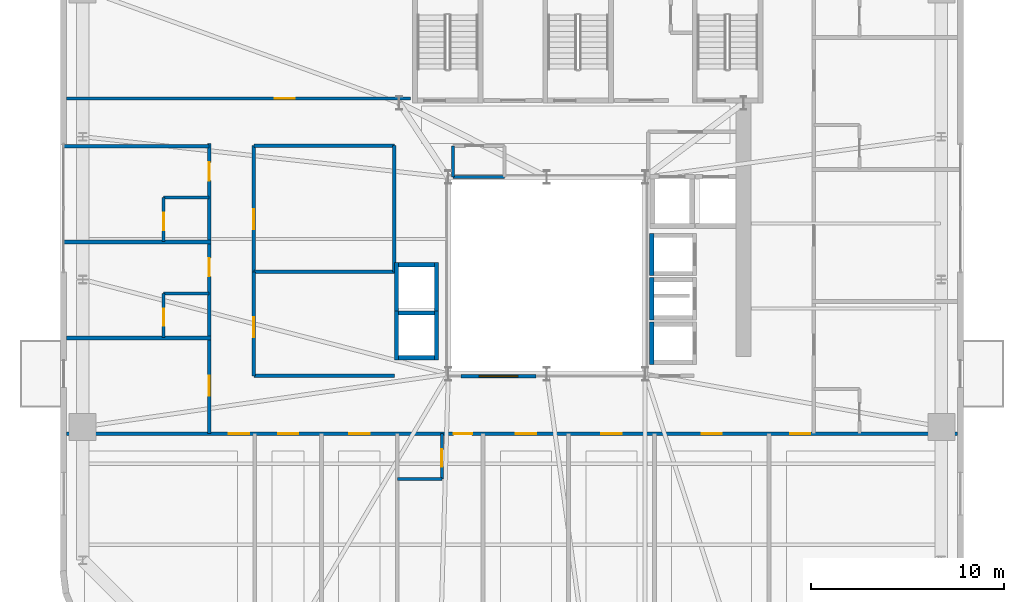
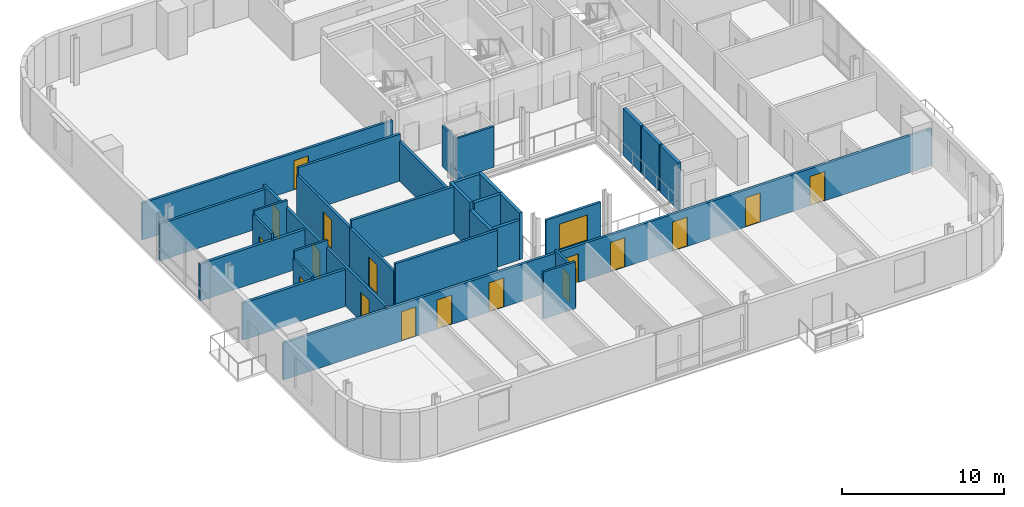
# One storey, part 7 of 12: 31 walls, 17 doors, 1 window, 18 openings.
"""IFC4 building model written with IfcOpenShell, lengths in metres."""

from ifc_helpers import new_model, si_unit, direction, frame, frame_2d, origin, place, context, subcontext, project, spatial, rectangle, extrude, source, transform, mapped, material, layer, layer_set, type_object, element, fill, save


model = new_model("IFC4")

# Units and contexts
model_context = context("Model", 3, precision=1e-05, world=origin(), true_north=direction((0.0, 1.0)))
body_context = subcontext(model_context, "Body", "Model", "MODEL_VIEW")
ifc_project = project(units=[si_unit("LENGTHUNIT", "METRE"), si_unit("AREAUNIT", "SQUARE_METRE"), si_unit("VOLUMEUNIT", "CUBIC_METRE"), si_unit("PLANEANGLEUNIT", "RADIAN"), si_unit("MASSUNIT", "GRAM", prefix="KILO")], contexts=[model_context])

# Site, building, storey
site_placement = place(None, origin())
site = spatial("IfcSite", under=ifc_project, at=site_placement, CompositionType="ELEMENT")
building_placement = place(site_placement, origin())
building = spatial("IfcBuilding", under=site, at=building_placement, Name="Vardaveli Station Tower", CompositionType="ELEMENT")
storey_placement = place(building_placement, frame((0.0, 0.0, 214.800048828125)))
storey = spatial("IfcBuildingStorey", under=building, at=storey_placement, Name="L55", CompositionType="ELEMENT", Elevation=214.800048828125)

# Walls
ifc_material_1 = material(Name="Concrete C40/50", Category="concrete")
ifc_layer_1 = layer(ifc_material_1, 0.219970703125, Name="Concrete C40/50")
ifc_layer_set_1 = layer_set([ifc_layer_1], Name="Concrete C40/50")
wall_type_1 = type_object("IfcWallType", Name="WAL-FFLOBBY-220", PredefinedType="SOLIDWALL", material=ifc_layer_set_1)
shared_shape_1 = source(origin(), body_context, "Body", "SweptSolid", [
    extrude(rectangle(XDim=2.18994140625, YDim=0.219970703125, at=frame_2d((1.094970703125, 0.0))), origin(), (0.0, 0.0, 1.0), 3.530029296875),
])
for number, where, z_axis, x_axis, name in (
    (1, (41.739990234375, 21.705078125, 0.0), (0.0, 0.0, 1.0), (0.0, 1.0, 0.0), "SHW-HL3-01-L55-W"),
    (2, (41.739990234375, 19.405029296875, 0.0), (0.0, 0.0, 1.0), (0.0, 1.0, 0.0), "SHW-HL3-02-L55-W"),
    (3, (41.739990234375, 17.10498046875, 0.0), (0.0, 0.0, 1.0), (0.0, 1.0, 0.0), "SHW-HL3-03-L55-W"),
):
    element("IfcWall", number, at=place(storey_placement, frame(where, z_axis=z_axis, x_axis=x_axis)), inside=storey, type_object=wall_type_1, Name=name, PredefinedType="SOLIDWALL", context=body_context, shape_type="MappedRepresentation", body=[
        mapped(shared_shape_1, transform((0.0, 0.0, 0.0), scale=1.0)),
    ])
shared_shape_2 = source(origin(), body_context, "Body", "SweptSolid", [
    extrude(rectangle(XDim=1.85009765625, YDim=0.219970703125, at=frame_2d((0.925048828125, 0.0))), origin(), (0.0, 0.0, 1.0), 2.971923828125),
])
wall_1_placement = place(storey_placement, frame((28.625, 17.43994140625, 0.0), z_axis=(0.0, 0.0, 1.0), x_axis=(1.0, 0.0, 0.0)))
element("IfcWall", 4, at=wall_1_placement, inside=storey, type_object=wall_type_1, Name="SHW-OBS-01-L55-S", PredefinedType="SOLIDWALL", context=body_context, shape_type="MappedRepresentation", body=[
    mapped(shared_shape_2, transform((0.0, 0.0, 0.0), scale=1.0)),
])
shared_shape_3 = source(origin(), body_context, "Body", "SweptSolid", [
    extrude(rectangle(XDim=1.85009765625, YDim=0.219970703125, at=frame_2d((0.925048828125, 0.0))), origin(), (0.0, 0.0, 1.0), 3.530029296875),
])
for number, where, z_axis, x_axis, name in (
    (5, (28.625, 19.760009765625, 0.0), (0.0, 0.0, 1.0), (1.0, 0.0, 0.0), "SHW-OBS-01-L55-N"),
    (6, (28.625, 22.260009765625, 0.0), (0.0, 0.0, 1.0), (1.0, 0.0, 0.0), "SHW-OBS-02-L55-N"),
):
    element("IfcWall", number, at=place(storey_placement, frame(where, z_axis=z_axis, x_axis=x_axis)), inside=storey, type_object=wall_type_1, Name=name, PredefinedType="SOLIDWALL", context=body_context, shape_type="MappedRepresentation", body=[
        mapped(shared_shape_3, transform((0.0, 0.0, 0.0), scale=1.0)),
    ])
shared_shape_4 = source(origin(), body_context, "Body", "SweptSolid", [
    extrude(rectangle(XDim=2.5400390625, YDim=0.219970703125, at=frame_2d((1.27001953125, 0.0))), origin(), (0.0, 0.0, 1.0), 2.971923828125),
])
wall_2_placement = place(storey_placement, frame((28.514892578125, 17.330078125, 0.0), z_axis=(0.0, 0.0, 1.0), x_axis=(0.0, 1.0, 0.0)))
element("IfcWall", 7, at=wall_2_placement, inside=storey, type_object=wall_type_1, Name="SHW-OBS-01-L55-W", PredefinedType="SOLIDWALL", context=body_context, shape_type="MappedRepresentation", body=[
    mapped(shared_shape_4, transform((0.0, 0.0, 0.0), scale=1.0)),
])
shared_shape_5 = source(origin(), body_context, "Body", "SweptSolid", [
    extrude(rectangle(XDim=2.5400390625, YDim=0.219970703125, at=frame_2d((1.27001953125, 0.0))), origin(), (0.0, 0.0, 1.0), 3.530029296875),
])
for number, where, z_axis, x_axis, name in (
    (8, (30.5849609375, 17.330078125, 0.0), (0.0, 0.0, 1.0), (0.0, 1.0, 0.0), "SHW-OBS-01-L55-E"),
    (9, (28.514892578125, 19.830078125, 0.0), (0.0, 0.0, 1.0), (0.0, 1.0, 0.0), "SHW-OBS-02-L55-W"),
    (10, (30.5849609375, 19.830078125, 0.0), (0.0, 0.0, 1.0), (0.0, 1.0, 0.0), "SHW-OBS-02-L55-E"),
):
    element("IfcWall", number, at=place(storey_placement, frame(where, z_axis=z_axis, x_axis=x_axis)), inside=storey, type_object=wall_type_1, Name=name, PredefinedType="SOLIDWALL", context=body_context, shape_type="MappedRepresentation", body=[
        mapped(shared_shape_5, transform((0.0, 0.0, 0.0), scale=1.0)),
    ])

# Wall, openings, doors
ifc_material_2 = material(Name="Fire-rated gypsum stud partition")
ifc_layer_2 = layer(ifc_material_2, 0.179931640625, Name="Fire-rated gypsum stud partition")
ifc_layer_set_2 = layer_set([ifc_layer_2], Name="Fire-rated gypsum stud partition")
wall_type_2 = type_object("IfcWallType", Name="WAL-CORR-180", PredefinedType="PARTITIONING", material=ifc_layer_set_2)
shared_shape_6 = source(origin(), body_context, "Body", "SweptSolid", [
    extrude(rectangle(XDim=46.15576171875, YDim=0.179931640625, at=frame_2d((23.077880859375, 0.0))), origin(), (0.0, 0.0, 1.0), 2.77197265625),
])
wall_3_placement = place(storey_placement, frame((11.422119140625, 13.510009765625, 0.0), z_axis=(0.0, 0.0, 1.0), x_axis=(1.0, 0.0, 0.0)))
wall_3 = element("IfcWall", 11, at=wall_3_placement, inside=storey, type_object=wall_type_2, Name="W-L55-CS", PredefinedType="PARTITIONING", context=body_context, shape_type="MappedRepresentation", body=[
    mapped(shared_shape_6, transform((0.0, 0.0, 0.0), scale=1.0)),
])
shared_shape_7 = source(origin(), body_context, "Body", "SweptSolid", [
    extrude(rectangle(XDim=1.050048828125, YDim=2.199951171875, at=frame_2d((0.52490234375, 1.10009765625))), frame((0.0, 0.10009765625, 0.0), z_axis=(0.0, -1.0, 0.0), x_axis=(1.0, 0.0, 0.0)), (0.0, 0.0, 1.0), 0.199951171875),
])
opening_1_placement = place(wall_3_placement, frame((8.39794921875, 0.0, 0.0)))
opening_1 = element("IfcOpeningElement", 12, at=opening_1_placement, cuts=wall_3, Name="Opening D-05", PredefinedType="OPENING", context=body_context, shape_type="MappedRepresentation", body=[
    mapped(shared_shape_7, transform((0.0, 0.0, 0.0), scale=1.0)),
])
opening_2_placement = place(wall_3_placement, frame((10.952880859375, 0.0, 0.0)))
opening_2 = element("IfcOpeningElement", 13, at=opening_2_placement, cuts=wall_3, Name="Opening D-05", PredefinedType="OPENING", context=body_context, shape_type="MappedRepresentation", body=[
    mapped(shared_shape_7, transform((0.0, 0.0, 0.0), scale=1.0)),
])
opening_3_placement = place(wall_3_placement, frame((14.64453125, 0.0, 0.0)))
opening_3 = element("IfcOpeningElement", 14, at=opening_3_placement, cuts=wall_3, Name="Opening D-05", PredefinedType="OPENING", context=body_context, shape_type="MappedRepresentation", body=[
    mapped(shared_shape_7, transform((0.0, 0.0, 0.0), scale=1.0)),
])
shared_shape_8 = source(origin(), body_context, "Body", "SweptSolid", [
    extrude(rectangle(XDim=0.949951171875, YDim=2.14990234375, at=frame_2d((0.47509765625, 1.074951171875))), frame((0.0, 0.10009765625, 0.0), z_axis=(0.0, -1.0, 0.0), x_axis=(1.0, 0.0, 0.0)), (0.0, 0.0, 1.0), 0.199951171875),
])
opening_4_placement = place(wall_3_placement, frame((20.05712890625, 0.0, 0.0)))
opening_4 = element("IfcOpeningElement", 15, at=opening_4_placement, cuts=wall_3, Name="Opening D-06", PredefinedType="OPENING", context=body_context, shape_type="MappedRepresentation", body=[
    mapped(shared_shape_8, transform((0.0, 0.0, 0.0), scale=1.0)),
])
opening_5_placement = place(wall_3_placement, frame((23.273681640625, 0.0, 0.0)))
opening_5 = element("IfcOpeningElement", 16, at=opening_5_placement, cuts=wall_3, Name="Opening D-05", PredefinedType="OPENING", context=body_context, shape_type="MappedRepresentation", body=[
    mapped(shared_shape_7, transform((0.0, 0.0, 0.0), scale=1.0)),
])
opening_6_placement = place(wall_3_placement, frame((27.715576171875, 0.0, 0.0)))
opening_6 = element("IfcOpeningElement", 17, at=opening_6_placement, cuts=wall_3, Name="Opening D-05", PredefinedType="OPENING", context=body_context, shape_type="MappedRepresentation", body=[
    mapped(shared_shape_7, transform((0.0, 0.0, 0.0), scale=1.0)),
])
opening_7_placement = place(wall_3_placement, frame((32.906982421875, 0.0, 0.0)))
opening_7 = element("IfcOpeningElement", 18, at=opening_7_placement, cuts=wall_3, Name="Opening D-05", PredefinedType="OPENING", context=body_context, shape_type="MappedRepresentation", body=[
    mapped(shared_shape_7, transform((0.0, 0.0, 0.0), scale=1.0)),
])
opening_8_placement = place(wall_3_placement, frame((37.498046875, 0.0, 0.0)))
opening_8 = element("IfcOpeningElement", 19, at=opening_8_placement, cuts=wall_3, Name="Opening D-05", PredefinedType="OPENING", context=body_context, shape_type="MappedRepresentation", body=[
    mapped(shared_shape_7, transform((0.0, 0.0, 0.0), scale=1.0)),
])
ifc_material_3 = material(Name="Walnut veneer acoustic fire door")
door_type_1 = type_object("IfcDoorType", Name="DR-SUITE-1050x2200", OperationType="NOTDEFINED", PredefinedType="DOOR", material=ifc_material_3)
shared_shape_9 = source(origin(), body_context, "Body", "SweptSolid", [
    extrude(rectangle(XDim=1.050048828125, YDim=2.199951171875, at=frame_2d((0.52490234375, 1.10009765625))), frame((0.0, 0.02490234375, 0.0), z_axis=(0.0, -1.0, 0.0), x_axis=(1.0, 0.0, 0.0)), (0.0, 0.0, 1.0), 0.050048828125),
])
door_1_placement = place(opening_1_placement, origin())
door_1 = element("IfcDoor", 20, at=door_1_placement, inside=storey, type_object=door_type_1, Name="D-L55-SA1", OperationType="SINGLE_SWING_LEFT", OverallHeight=2.199951171875, OverallWidth=1.050048828125, PredefinedType="DOOR", context=body_context, shape_type="MappedRepresentation", body=[
    mapped(shared_shape_9, transform((0.0, 0.0, 0.0), scale=1.0)),
])
fill(opening_1, door_1)
door_2_placement = place(opening_2_placement, origin())
door_2 = element("IfcDoor", 21, at=door_2_placement, inside=storey, type_object=door_type_1, Name="D-L55-SA2", OperationType="SINGLE_SWING_RIGHT", OverallHeight=2.199951171875, OverallWidth=1.050048828125, PredefinedType="DOOR", context=body_context, shape_type="MappedRepresentation", body=[
    mapped(shared_shape_9, transform((0.0, 0.0, 0.0), scale=1.0)),
])
fill(opening_2, door_2)
door_3_placement = place(opening_3_placement, origin())
door_3 = element("IfcDoor", 22, at=door_3_placement, inside=storey, type_object=door_type_1, Name="D-L55-SA3", OperationType="SINGLE_SWING_LEFT", OverallHeight=2.199951171875, OverallWidth=1.050048828125, PredefinedType="DOOR", context=body_context, shape_type="MappedRepresentation", body=[
    mapped(shared_shape_9, transform((0.0, 0.0, 0.0), scale=1.0)),
])
fill(opening_3, door_3)
door_4_placement = place(opening_5_placement, origin())
door_4 = element("IfcDoor", 23, at=door_4_placement, inside=storey, type_object=door_type_1, Name="D-L55-SA5", OperationType="SINGLE_SWING_LEFT", OverallHeight=2.199951171875, OverallWidth=1.050048828125, PredefinedType="DOOR", context=body_context, shape_type="MappedRepresentation", body=[
    mapped(shared_shape_9, transform((0.0, 0.0, 0.0), scale=1.0)),
])
fill(opening_5, door_4)
door_5_placement = place(opening_6_placement, origin())
door_5 = element("IfcDoor", 24, at=door_5_placement, inside=storey, type_object=door_type_1, Name="D-L55-SA6", OperationType="SINGLE_SWING_RIGHT", OverallHeight=2.199951171875, OverallWidth=1.050048828125, PredefinedType="DOOR", context=body_context, shape_type="MappedRepresentation", body=[
    mapped(shared_shape_9, transform((0.0, 0.0, 0.0), scale=1.0)),
])
fill(opening_6, door_5)
door_6_placement = place(opening_7_placement, origin())
door_6 = element("IfcDoor", 25, at=door_6_placement, inside=storey, type_object=door_type_1, Name="D-L55-SA7", OperationType="SINGLE_SWING_LEFT", OverallHeight=2.199951171875, OverallWidth=1.050048828125, PredefinedType="DOOR", context=body_context, shape_type="MappedRepresentation", body=[
    mapped(shared_shape_9, transform((0.0, 0.0, 0.0), scale=1.0)),
])
fill(opening_7, door_6)
door_7_placement = place(opening_8_placement, origin())
door_7 = element("IfcDoor", 26, at=door_7_placement, inside=storey, type_object=door_type_1, Name="D-L55-SA8", OperationType="SINGLE_SWING_RIGHT", OverallHeight=2.199951171875, OverallWidth=1.050048828125, PredefinedType="DOOR", context=body_context, shape_type="MappedRepresentation", body=[
    mapped(shared_shape_9, transform((0.0, 0.0, 0.0), scale=1.0)),
])
fill(opening_8, door_7)
ifc_material_4 = material(Name="Oak veneer acoustic fire door")
door_type_2 = type_object("IfcDoorType", Name="DR-GUEST-950x2150", OperationType="NOTDEFINED", PredefinedType="DOOR", material=ifc_material_4)
shared_shape_10 = source(origin(), body_context, "Body", "SweptSolid", [
    extrude(rectangle(XDim=0.949951171875, YDim=2.14990234375, at=frame_2d((0.47509765625, 1.074951171875))), frame((0.0, 0.02490234375, 0.0), z_axis=(0.0, -1.0, 0.0), x_axis=(1.0, 0.0, 0.0)), (0.0, 0.0, 1.0), 0.050048828125),
])
door_8_placement = place(opening_4_placement, origin())
door_8 = element("IfcDoor", 27, at=door_8_placement, inside=storey, type_object=door_type_2, Name="D-L55-GS4", OperationType="SINGLE_SWING_RIGHT", OverallHeight=2.14990234375, OverallWidth=0.949951171875, PredefinedType="DOOR", context=body_context, shape_type="MappedRepresentation", body=[
    mapped(shared_shape_10, transform((0.0, 0.0, 0.0), scale=1.0)),
])
fill(opening_4, door_8)

# Wall, opening, door
shared_shape_11 = source(origin(), body_context, "Body", "SweptSolid", [
    extrude(rectangle(XDim=17.827880859375, YDim=0.179931640625, at=frame_2d((8.9140625, 0.0))), origin(), (0.0, 0.0, 1.0), 2.77197265625),
])
wall_4_placement = place(storey_placement, frame((11.422119140625, 30.8798828125, 0.0), z_axis=(0.0, 0.0, 1.0), x_axis=(1.0, 0.0, 0.0)))
wall_4 = element("IfcWall", 28, at=wall_4_placement, inside=storey, type_object=wall_type_2, Name="W-L55-CNWS", PredefinedType="PARTITIONING", context=body_context, shape_type="MappedRepresentation", body=[
    mapped(shared_shape_11, transform((0.0, 0.0, 0.0), scale=1.0)),
])
opening_9_placement = place(wall_4_placement, frame((10.778076171875, 0.0, 0.0)))
opening_9 = element("IfcOpeningElement", 29, at=opening_9_placement, cuts=wall_4, Name="Opening D-05", PredefinedType="OPENING", context=body_context, shape_type="MappedRepresentation", body=[
    mapped(shared_shape_7, transform((0.0, 0.0, 0.0), scale=1.0)),
])
door_9_placement = place(opening_9_placement, origin())
door_9 = element("IfcDoor", 30, at=door_9_placement, inside=storey, type_object=door_type_1, Name="D-L55-GNW1", OperationType="SINGLE_SWING_RIGHT", OverallHeight=2.199951171875, OverallWidth=1.050048828125, PredefinedType="DOOR", context=body_context, shape_type="MappedRepresentation", body=[
    mapped(shared_shape_9, transform((0.0, 0.0, 0.0), scale=1.0)),
])
fill(opening_9, door_9)

# Wall, openings, doors
shared_shape_12 = source(origin(), body_context, "Body", "SweptSolid", [
    extrude(rectangle(XDim=15.0400390625, YDim=0.179931640625, at=frame_2d((7.52001953125, 0.0))), origin(), (0.0, 0.0, 1.0), 2.971923828125),
])
wall_5_placement = place(storey_placement, frame((18.800048828125, 13.510009765625, 0.0), z_axis=(0.0, 0.0, 1.0), x_axis=(0.0, 1.0, 0.0)))
wall_5 = element("IfcWall", 31, at=wall_5_placement, inside=storey, type_object=wall_type_2, Name="W-L55-CW", PredefinedType="PARTITIONING", context=body_context, shape_type="MappedRepresentation", body=[
    mapped(shared_shape_12, transform((0.0, 0.0, 0.0), scale=1.0)),
])
opening_10_placement = place(wall_5_placement, frame((1.961669921875, 0.0, 0.0)))
opening_10 = element("IfcOpeningElement", 32, at=opening_10_placement, cuts=wall_5, Name="Opening D-05", PredefinedType="OPENING", context=body_context, shape_type="MappedRepresentation", body=[
    mapped(shared_shape_7, transform((0.0, 0.0, 0.0), scale=1.0)),
])
opening_11_placement = place(wall_5_placement, frame((8.14990234375, 0.0, 0.0)))
opening_11 = element("IfcOpeningElement", 33, at=opening_11_placement, cuts=wall_5, Name="Opening D-06", PredefinedType="OPENING", context=body_context, shape_type="MappedRepresentation", body=[
    mapped(shared_shape_8, transform((0.0, 0.0, 0.0), scale=1.0)),
])
opening_12_placement = place(wall_5_placement, frame((13.11328125, 0.0, 0.0)))
opening_12 = element("IfcOpeningElement", 34, at=opening_12_placement, cuts=wall_5, Name="Opening D-06", PredefinedType="OPENING", context=body_context, shape_type="MappedRepresentation", body=[
    mapped(shared_shape_8, transform((0.0, 0.0, 0.0), scale=1.0)),
])
door_10_placement = place(opening_10_placement, origin())
door_10 = element("IfcDoor", 35, at=door_10_placement, inside=storey, type_object=door_type_1, Name="D-L55-GW1", OperationType="SINGLE_SWING_LEFT", OverallHeight=2.199951171875, OverallWidth=1.050048828125, PredefinedType="DOOR", context=body_context, shape_type="MappedRepresentation", body=[
    mapped(shared_shape_9, transform((0.0, 0.0, 0.0), scale=1.0)),
])
fill(opening_10, door_10)
door_11_placement = place(opening_11_placement, origin())
door_11 = element("IfcDoor", 36, at=door_11_placement, inside=storey, type_object=door_type_2, Name="D-L55-GW2", OperationType="SINGLE_SWING_RIGHT", OverallHeight=2.14990234375, OverallWidth=0.949951171875, PredefinedType="DOOR", context=body_context, shape_type="MappedRepresentation", body=[
    mapped(shared_shape_10, transform((0.0, 0.0, 0.0), scale=1.0)),
])
fill(opening_11, door_11)
door_12_placement = place(opening_12_placement, origin())
door_12 = element("IfcDoor", 37, at=door_12_placement, inside=storey, type_object=door_type_2, Name="D-L55-GW3", OperationType="SINGLE_SWING_LEFT", OverallHeight=2.14990234375, OverallWidth=0.949951171875, PredefinedType="DOOR", context=body_context, shape_type="MappedRepresentation", body=[
    mapped(shared_shape_10, transform((0.0, 0.0, 0.0), scale=1.0)),
])
fill(opening_12, door_12)

# Wall, opening, door
ifc_material_5 = material(Name="Moisture-resistant stud partition")
ifc_layer_3 = layer(ifc_material_5, 0.14990234375, Name="Moisture-resistant stud partition")
ifc_layer_set_3 = layer_set([ifc_layer_3], Name="Moisture-resistant stud partition")
wall_type_3 = type_object("IfcWallType", Name="WAL-WET-150", PredefinedType="PARTITIONING", material=ifc_layer_set_3)
shared_shape_13 = source(origin(), body_context, "Body", "SweptSolid", [
    extrude(rectangle(XDim=2.2900390625, YDim=0.14990234375, at=frame_2d((1.14501953125, 0.0))), origin(), (0.0, 0.0, 1.0), 2.971923828125),
])
wall_6_placement = place(storey_placement, frame((16.43994140625, 18.492919921875, 0.0), z_axis=(0.0, 0.0, 1.0), x_axis=(0.0, 1.0, 0.0)))
wall_6 = element("IfcWall", 38, at=wall_6_placement, inside=storey, type_object=wall_type_3, Name="W-L55-BW2-W", PredefinedType="PARTITIONING", context=body_context, shape_type="MappedRepresentation", body=[
    mapped(shared_shape_13, transform((0.0, 0.0, 0.0), scale=1.0)),
])
shared_shape_14 = source(origin(), body_context, "Body", "SweptSolid", [
    extrude(rectangle(XDim=0.89990234375, YDim=2.10009765625, at=frame_2d((0.449951171875, 1.050048828125))), frame((0.0, 0.0849609375, 0.0), z_axis=(0.0, -1.0, 0.0), x_axis=(1.0, 0.0, 0.0)), (0.0, 0.0, 1.0), 0.169921875),
])
opening_13_placement = place(wall_6_placement, frame((0.60009765625, 0.0, 0.0)))
opening_13 = element("IfcOpeningElement", 39, at=opening_13_placement, cuts=wall_6, Name="Opening D-08", PredefinedType="OPENING", context=body_context, shape_type="MappedRepresentation", body=[
    mapped(shared_shape_14, transform((0.0, 0.0, 0.0), scale=1.0)),
])
ifc_material_6 = material(Name="Moisture-resistant oak door")
door_type_3 = type_object("IfcDoorType", Name="DR-BATH-900x2100", OperationType="NOTDEFINED", PredefinedType="DOOR", material=ifc_material_6)
shared_shape_15 = source(origin(), body_context, "Body", "SweptSolid", [
    extrude(rectangle(XDim=0.89990234375, YDim=2.10009765625, at=frame_2d((0.449951171875, 1.050048828125))), frame((0.0, 0.02490234375, 0.0), z_axis=(0.0, -1.0, 0.0), x_axis=(1.0, 0.0, 0.0)), (0.0, 0.0, 1.0), 0.050048828125),
])
door_13_placement = place(opening_13_placement, origin())
door_13 = element("IfcDoor", 40, at=door_13_placement, inside=storey, type_object=door_type_3, Name="D-L55-BW2", OperationType="SINGLE_SWING_LEFT", OverallHeight=2.10009765625, OverallWidth=0.89990234375, PredefinedType="DOOR", context=body_context, shape_type="MappedRepresentation", body=[
    mapped(shared_shape_15, transform((0.0, 0.0, 0.0), scale=1.0)),
])
fill(opening_13, door_13)

# Walls
shared_shape_16 = source(origin(), body_context, "Body", "SweptSolid", [
    extrude(rectangle(XDim=2.360107421875, YDim=0.14990234375, at=frame_2d((1.18017578125, 0.0))), origin(), (0.0, 0.0, 1.0), 3.530029296875),
])
for number, where, z_axis, x_axis, name in (
    (41, (16.43994140625, 20.782958984375, 0.0), (0.0, 0.0, 1.0), (1.0, 0.0, 0.0), "W-L55-BW2-N"),
    (42, (16.43994140625, 25.7470703125, 0.0), (0.0, 0.0, 1.0), (1.0, 0.0, 0.0), "W-L55-BW3-N"),
):
    element("IfcWall", number, at=place(storey_placement, frame(where, z_axis=z_axis, x_axis=x_axis)), inside=storey, type_object=wall_type_3, Name=name, PredefinedType="PARTITIONING", context=body_context, shape_type="MappedRepresentation", body=[
        mapped(shared_shape_16, transform((0.0, 0.0, 0.0), scale=1.0)),
    ])

# Wall, opening, door
shared_shape_17 = source(origin(), body_context, "Body", "SweptSolid", [
    extrude(rectangle(XDim=6.5400390625, YDim=0.179931640625, at=frame_2d((3.27001953125, 0.0))), origin(), (0.0, 0.0, 1.0), 2.971923828125),
])
wall_7_placement = place(storey_placement, frame((21.1201171875, 21.89990234375, 0.0), z_axis=(0.0, 0.0, 1.0), x_axis=(0.0, 1.0, 0.0)))
wall_7 = element("IfcWall", 43, at=wall_7_placement, inside=storey, type_object=wall_type_2, Name="W-L55-ATW2-W", PredefinedType="PARTITIONING", context=body_context, shape_type="MappedRepresentation", body=[
    mapped(shared_shape_17, transform((0.0, 0.0, 0.0), scale=1.0)),
])
opening_14_placement = place(wall_7_placement, frame((2.199951171875, 0.0, 0.0)))
opening_14 = element("IfcOpeningElement", 44, at=opening_14_placement, cuts=wall_7, Name="Opening D-05", PredefinedType="OPENING", context=body_context, shape_type="MappedRepresentation", body=[
    mapped(shared_shape_7, transform((0.0, 0.0, 0.0), scale=1.0)),
])
door_14_placement = place(opening_14_placement, origin())
door_14 = element("IfcDoor", 45, at=door_14_placement, inside=storey, type_object=door_type_1, Name="D-L55-ATW2", OperationType="SINGLE_SWING_RIGHT", OverallHeight=2.199951171875, OverallWidth=1.050048828125, PredefinedType="DOOR", context=body_context, shape_type="MappedRepresentation", body=[
    mapped(shared_shape_9, transform((0.0, 0.0, 0.0), scale=1.0)),
])
fill(opening_14, door_14)

# Wall
wall_8_placement = place(storey_placement, frame((28.39990234375, 21.89990234375, 0.0), z_axis=(0.0, 0.0, 1.0), x_axis=(0.0, 1.0, 0.0)))
element("IfcWall", 46, at=wall_8_placement, inside=storey, type_object=wall_type_2, Name="W-L55-ATW2-E", PredefinedType="PARTITIONING", context=body_context, shape_type="MappedRepresentation", body=[
    mapped(shared_shape_17, transform((0.0, 0.0, 0.0), scale=1.0)),
])

# Wall, opening, door
shared_shape_18 = source(origin(), body_context, "Body", "SweptSolid", [
    extrude(rectangle(XDim=5.39990234375, YDim=0.179931640625, at=frame_2d((2.699951171875, 0.0))), origin(), (0.0, 0.0, 1.0), 2.971923828125),
])
wall_9_placement = place(storey_placement, frame((21.1201171875, 16.5, 0.0), z_axis=(0.0, 0.0, 1.0), x_axis=(0.0, 1.0, 0.0)))
wall_9 = element("IfcWall", 47, at=wall_9_placement, inside=storey, type_object=wall_type_2, Name="W-L55-ATW1-W", PredefinedType="PARTITIONING", context=body_context, shape_type="MappedRepresentation", body=[
    mapped(shared_shape_18, transform((0.0, 0.0, 0.0), scale=1.0)),
])
opening_15_placement = place(wall_9_placement, frame((2.0, 0.0, 0.0)))
opening_15 = element("IfcOpeningElement", 48, at=opening_15_placement, cuts=wall_9, Name="Opening D-05", PredefinedType="OPENING", context=body_context, shape_type="MappedRepresentation", body=[
    mapped(shared_shape_7, transform((0.0, 0.0, 0.0), scale=1.0)),
])
door_15_placement = place(opening_15_placement, origin())
door_15 = element("IfcDoor", 49, at=door_15_placement, inside=storey, type_object=door_type_1, Name="D-L55-ATW1", OperationType="SINGLE_SWING_LEFT", OverallHeight=2.199951171875, OverallWidth=1.050048828125, PredefinedType="DOOR", context=body_context, shape_type="MappedRepresentation", body=[
    mapped(shared_shape_9, transform((0.0, 0.0, 0.0), scale=1.0)),
])
fill(opening_15, door_15)

# Walls
shared_shape_19 = source(origin(), body_context, "Body", "SweptSolid", [
    extrude(rectangle(XDim=2.670166015625, YDim=0.14990234375, at=frame_2d((1.3349609375, 0.0))), origin(), (0.0, 0.0, 1.0), 3.072021484375),
])
wall_10_placement = place(storey_placement, frame((31.449951171875, 26.820068359375, 0.0), z_axis=(0.0, 0.0, 1.0), x_axis=(1.0, 0.0, 0.0)))
element("IfcWall", 50, at=wall_10_placement, inside=storey, type_object=wall_type_3, Name="W-L55-WCA1-S", PredefinedType="PARTITIONING", context=body_context, shape_type="MappedRepresentation", body=[
    mapped(shared_shape_19, transform((0.0, 0.0, 0.0), scale=1.0)),
])
shared_shape_20 = source(origin(), body_context, "Body", "SweptSolid", [
    extrude(rectangle(XDim=1.599853515625, YDim=0.14990234375, at=frame_2d((0.7998046875, 0.0))), origin(), (0.0, 0.0, 1.0), 3.072021484375),
])
wall_11_placement = place(storey_placement, frame((31.449951171875, 26.820068359375, 0.0), z_axis=(0.0, 0.0, 1.0), x_axis=(0.0, 1.0, 0.0)))
element("IfcWall", 51, at=wall_11_placement, inside=storey, type_object=wall_type_3, Name="W-L55-WCA1-W", PredefinedType="PARTITIONING", context=body_context, shape_type="MappedRepresentation", body=[
    mapped(shared_shape_20, transform((0.0, 0.0, 0.0), scale=1.0)),
])
shared_shape_21 = source(origin(), body_context, "Body", "SweptSolid", [
    extrude(rectangle(XDim=2.2900390625, YDim=0.14990234375, at=frame_2d((1.14501953125, 0.0))), origin(), (0.0, 0.0, 1.0), 3.530029296875),
])
wall_12_placement = place(storey_placement, frame((28.572998046875, 11.14990234375, 0.0), z_axis=(0.0, 0.0, 1.0), x_axis=(1.0, 0.0, 0.0)))
element("IfcWall", 52, at=wall_12_placement, inside=storey, type_object=wall_type_3, Name="W-L55-BS4-S", PredefinedType="PARTITIONING", context=body_context, shape_type="MappedRepresentation", body=[
    mapped(shared_shape_21, transform((0.0, 0.0, 0.0), scale=1.0)),
])

# Wall, opening, window
shared_shape_22 = source(origin(), body_context, "Body", "SweptSolid", [
    extrude(rectangle(XDim=3.89990234375, YDim=0.179931640625, at=frame_2d((1.949951171875, 0.0))), origin(), (0.0, 0.0, 1.0), 3.072021484375),
])
wall_13_placement = place(storey_placement, frame((31.85009765625, 16.47998046875, 0.0), z_axis=(0.0, 0.0, 1.0), x_axis=(1.0, 0.0, 0.0)))
wall_13 = element("IfcWall", 53, at=wall_13_placement, inside=storey, type_object=wall_type_2, Name="WAT-L55-S", PredefinedType="PARTITIONING", context=body_context, shape_type="MappedRepresentation", body=[
    mapped(shared_shape_22, transform((0.0, 0.0, 0.0), scale=1.0)),
])
shared_shape_23 = source(origin(), body_context, "Body", "SweptSolid", [
    extrude(rectangle(XDim=2.0, YDim=1.89990234375, at=frame_2d((1.0, 0.949951171875))), frame((0.0, 0.10009765625, 0.0), z_axis=(0.0, -1.0, 0.0), x_axis=(1.0, 0.0, 0.0)), (0.0, 0.0, 1.0), 0.199951171875),
])
opening_16_placement = place(wall_13_placement, frame((0.949951171875, 0.0, 0.550048828125)))
opening_16 = element("IfcOpeningElement", 54, at=opening_16_placement, cuts=wall_13, Name="Opening W-07", PredefinedType="OPENING", context=body_context, shape_type="MappedRepresentation", body=[
    mapped(shared_shape_23, transform((0.0, 0.0, 0.0), scale=1.0)),
])
ifc_material_7 = material(Name="Tempered EI 60 fire-rated glass", Category="glass")
window_type = type_object("IfcWindowType", Name="WIN-ATRIUM-2000x2400", PartitioningType="SINGLE_PANEL", PredefinedType="WINDOW", material=ifc_material_7)
shared_shape_24 = source(origin(), body_context, "Body", "SweptSolid", [
    extrude(rectangle(XDim=2.0, YDim=1.89990234375, at=frame_2d((1.0, 0.949951171875))), frame((0.0, 0.030029296875, 0.0), z_axis=(0.0, -1.0, 0.0), x_axis=(1.0, 0.0, 0.0)), (0.0, 0.0, 1.0), 0.06005859375),
])
window_placement = place(opening_16_placement, origin())
window = element("IfcWindow", 55, at=window_placement, inside=storey, type_object=window_type, Name="WNAT-L55-1", OverallHeight=1.89990234375, OverallWidth=2.0, PartitioningType="SINGLE_PANEL", PredefinedType="WINDOW", context=body_context, shape_type="MappedRepresentation", body=[
    mapped(shared_shape_24, transform((0.0, 0.0, 0.0), scale=1.0)),
])
fill(opening_16, window)

# Wall, opening, door
shared_shape_25 = source(origin(), body_context, "Body", "SweptSolid", [
    extrude(rectangle(XDim=2.360107421875, YDim=0.14990234375, at=frame_2d((1.18017578125, 0.0))), origin(), (0.0, 0.0, 1.0), 2.971923828125),
])
wall_14_placement = place(storey_placement, frame((30.863037109375, 11.14990234375, 0.0), z_axis=(0.0, 0.0, 1.0), x_axis=(0.0, 1.0, 0.0)))
wall_14 = element("IfcWall", 56, at=wall_14_placement, inside=storey, type_object=wall_type_3, Name="W-L55-BS4-E", PredefinedType="PARTITIONING", context=body_context, shape_type="MappedRepresentation", body=[
    mapped(shared_shape_25, transform((0.0, 0.0, 0.0), scale=1.0)),
])
opening_17_placement = place(wall_14_placement, frame((0.64990234375, 0.0, 0.0)))
opening_17 = element("IfcOpeningElement", 57, at=opening_17_placement, cuts=wall_14, Name="Opening D-08", PredefinedType="OPENING", context=body_context, shape_type="MappedRepresentation", body=[
    mapped(shared_shape_14, transform((0.0, 0.0, 0.0), scale=1.0)),
])
door_16_placement = place(opening_17_placement, origin())
door_16 = element("IfcDoor", 58, at=door_16_placement, inside=storey, type_object=door_type_3, Name="D-L55-BS4", OperationType="SINGLE_SWING_LEFT", OverallHeight=2.10009765625, OverallWidth=0.89990234375, PredefinedType="DOOR", context=body_context, shape_type="MappedRepresentation", body=[
    mapped(shared_shape_15, transform((0.0, 0.0, 0.0), scale=1.0)),
])
fill(opening_17, door_16)

# Walls
ifc_material_8 = material(Name="Acoustic twin-stud gypsum partition")
ifc_layer_4 = layer(ifc_material_8, 0.199951171875, Name="Acoustic twin-stud gypsum partition")
ifc_layer_set_4 = layer_set([ifc_layer_4], Name="Acoustic twin-stud gypsum partition")
wall_type_4 = type_object("IfcWallType", Name="WAL-PARTY-200", PredefinedType="PARTITIONING", material=ifc_layer_set_4)
shared_shape_26 = source(origin(), body_context, "Body", "SweptSolid", [
    extrude(rectangle(XDim=7.477783203125, YDim=0.199951171875, at=frame_2d((3.73876953125, 0.0))), origin(), (0.0, 0.0, 1.0), 2.77197265625),
])
wall_15_placement = place(storey_placement, frame((11.422119140625, 18.472900390625, 0.0), z_axis=(0.0, 0.0, 1.0), x_axis=(1.0, 0.0, 0.0)))
element("IfcWall", 59, at=wall_15_placement, inside=storey, type_object=wall_type_4, Name="W-L55-PW1", PredefinedType="PARTITIONING", context=body_context, shape_type="MappedRepresentation", body=[
    mapped(shared_shape_26, transform((0.0, 0.0, 0.0), scale=1.0)),
])
shared_shape_27 = source(origin(), body_context, "Body", "SweptSolid", [
    extrude(rectangle(XDim=7.669921875, YDim=0.199951171875, at=frame_2d((3.8349609375, 0.0))), origin(), (0.0, 0.0, 1.0), 2.77197265625),
])
wall_16_placement = place(storey_placement, frame((11.22998046875, 23.43701171875, 0.0), z_axis=(0.0, 0.0, 1.0), x_axis=(1.0, 0.0, 0.0)))
element("IfcWall", 60, at=wall_16_placement, inside=storey, type_object=wall_type_4, Name="W-L55-PW2", PredefinedType="PARTITIONING", context=body_context, shape_type="MappedRepresentation", body=[
    mapped(shared_shape_27, transform((0.0, 0.0, 0.0), scale=1.0)),
])
shared_shape_28 = source(origin(), body_context, "Body", "SweptSolid", [
    extrude(rectangle(XDim=7.570068359375, YDim=0.179931640625, at=frame_2d((3.78515625, 0.0))), origin(), (0.0, 0.0, 1.0), 2.77197265625),
])
wall_17_placement = place(storey_placement, frame((11.22998046875, 28.39990234375, 0.0), z_axis=(0.0, 0.0, 1.0), x_axis=(1.0, 0.0, 0.0)))
element("IfcWall", 61, at=wall_17_placement, inside=storey, type_object=wall_type_2, Name="W-L55-CWN", PredefinedType="PARTITIONING", context=body_context, shape_type="MappedRepresentation", body=[
    mapped(shared_shape_28, transform((0.0, 0.0, 0.0), scale=1.0)),
])
shared_shape_29 = source(origin(), body_context, "Body", "SweptSolid", [
    extrude(rectangle(XDim=7.27978515625, YDim=0.179931640625, at=frame_2d((3.639892578125, 0.0))), origin(), (0.0, 0.0, 1.0), 3.530029296875),
])
for number, where, z_axis, x_axis, name in (
    (62, (21.1201171875, 16.5, 0.0), (0.0, 0.0, 1.0), (1.0, 0.0, 0.0), "W-L55-ATW1-S"),
    (63, (21.1201171875, 21.89990234375, 0.0), (0.0, 0.0, 1.0), (1.0, 0.0, 0.0), "W-L55-ATW1-N"),
    (64, (21.1201171875, 28.43994140625, 0.0), (0.0, 0.0, 1.0), (1.0, 0.0, 0.0), "W-L55-ATW2-N"),
):
    element("IfcWall", number, at=place(storey_placement, frame(where, z_axis=z_axis, x_axis=x_axis)), inside=storey, type_object=wall_type_2, Name=name, PredefinedType="PARTITIONING", context=body_context, shape_type="MappedRepresentation", body=[
        mapped(shared_shape_29, transform((0.0, 0.0, 0.0), scale=1.0)),
    ])

# Wall, opening, door
shared_shape_30 = source(origin(), body_context, "Body", "SweptSolid", [
    extrude(rectangle(XDim=2.2900390625, YDim=0.14990234375, at=frame_2d((1.14501953125, 0.0))), origin(), (0.0, 0.0, 1.0), 3.221923828125),
])
wall_18_placement = place(storey_placement, frame((16.43994140625, 23.45703125, 0.0), z_axis=(0.0, 0.0, 1.0), x_axis=(0.0, 1.0, 0.0)))
wall_18 = element("IfcWall", 65, at=wall_18_placement, inside=storey, type_object=wall_type_3, Name="W-L55-BW3-W", PredefinedType="PARTITIONING", context=body_context, shape_type="MappedRepresentation", body=[
    mapped(shared_shape_30, transform((0.0, 0.0, 0.0), scale=1.0)),
])
opening_18_placement = place(wall_18_placement, frame((0.60009765625, 0.0, 0.0)))
opening_18 = element("IfcOpeningElement", 66, at=opening_18_placement, cuts=wall_18, Name="Opening D-08", PredefinedType="OPENING", context=body_context, shape_type="MappedRepresentation", body=[
    mapped(shared_shape_14, transform((0.0, 0.0, 0.0), scale=1.0)),
])
door_17_placement = place(opening_18_placement, origin())
door_17 = element("IfcDoor", 67, at=door_17_placement, inside=storey, type_object=door_type_3, Name="D-L55-BW3", OperationType="SINGLE_SWING_RIGHT", OverallHeight=2.10009765625, OverallWidth=0.89990234375, PredefinedType="DOOR", context=body_context, shape_type="MappedRepresentation", body=[
    mapped(shared_shape_15, transform((0.0, 0.0, 0.0), scale=1.0)),
])
fill(opening_18, door_17)

save(model, "model.ifc")
